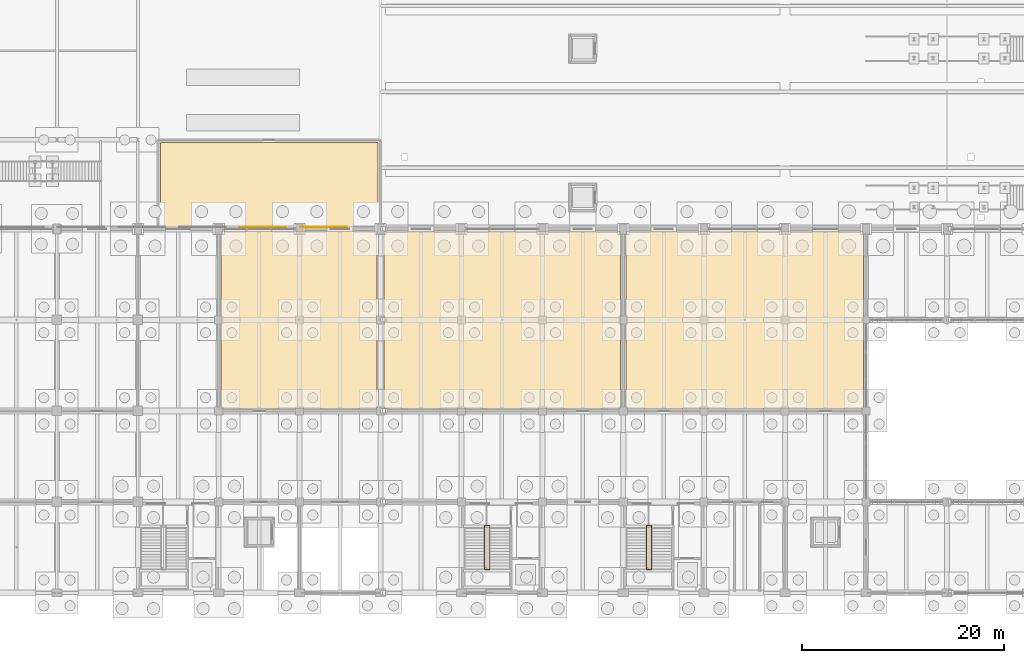
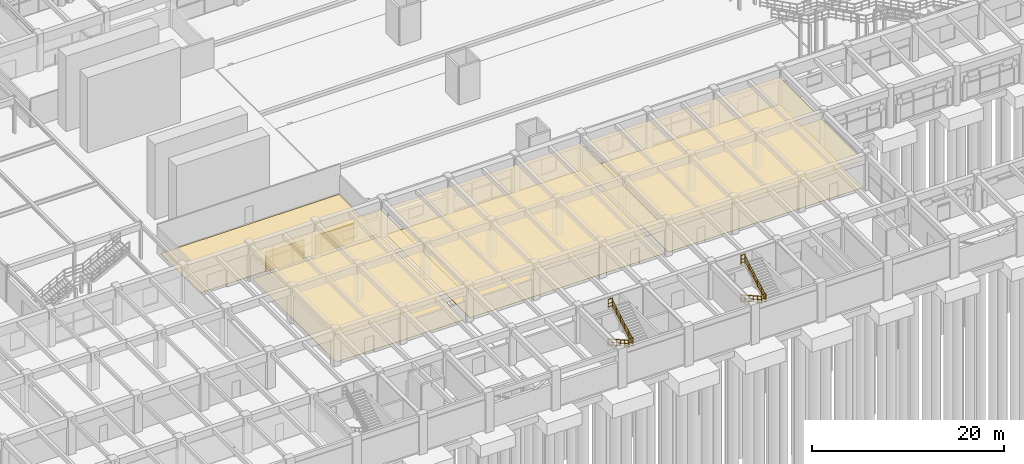
# One storey, part 136 of 147: 9 coverings, 8 railings.
"""IFC4 building model written with IfcOpenShell, lengths in metres."""

import ifcopenshell
import ifcopenshell.guid

model = None  # the IFC model being written
_history = None  # IfcOwnerHistory: only IFC2X3 demands one
_inside = {}  # id of a spatial element -> (the spatial element, [elements in it])
_under = {}  # id of a project, library or spatial element -> (it, [spatial elements below it])
_declared = {}  # id of a project -> (the project, [libraries it declares])
_typed = {}  # id of a type object -> (the type object, [elements of that type])
_made_of = {}  # id of a material, layer set ... -> (it, [elements and type objects made of it])


def new_model(schema):
    """Start an empty IFC model of exactly this schema.

    Asked for "IFC4X3", IfcOpenShell would pick the latest addendum, in which some entities
    have other attributes; the version numbers below select the first issue.
    IFC2X3 requires an IfcOwnerHistory on every rooted entity: one is made here for all.
    """
    global model, _history
    if schema == "IFC4X3":
        model = ifcopenshell.file(schema_version=(4, 3, 0, 0))
    else:
        model = ifcopenshell.file(schema=schema)
    _inside.clear()
    _under.clear()
    _declared.clear()
    _typed.clear()
    _made_of.clear()
    _history = None
    if model.schema == "IFC2X3":
        org = make("IfcOrganization", Name="unknown")
        user = make(
            "IfcPersonAndOrganization",
            ThePerson=make("IfcPerson", FamilyName="unknown"),
            TheOrganization=org,
        )
        app = make(
            "IfcApplication",
            ApplicationDeveloper=org,
            Version="unknown",
            ApplicationFullName="unknown",
            ApplicationIdentifier="unknown",
        )
        _history = make(
            "IfcOwnerHistory",
            OwningUser=user,
            OwningApplication=app,
            ChangeAction="ADDED",
            CreationDate=0,
        )
    return model


def make(cls, **values):
    """One entity of the class cls with the attributes given. An attribute that is None is left unset."""
    return model.create_entity(
        cls, **{name: value for name, value in values.items() if value is not None}
    )


def rooted(cls, **values):
    """An entity with a GlobalId (a new one), such as an element, a storey or a relation."""
    return make(cls, GlobalId=ifcopenshell.guid.new(), OwnerHistory=_history, **values)


def si_unit(unit_type, name, prefix=None):
    """IfcSIUnit, for example si_unit("LENGTHUNIT", "METRE", prefix="MILLI")."""
    return make("IfcSIUnit", UnitType=unit_type, Prefix=prefix, Name=name)


def assignment(units):
    """IfcUnitAssignment: the units of a project."""
    return None if units is None else make("IfcUnitAssignment", Units=units)


def point(xyz):
    """IfcCartesianPoint."""
    return None if xyz is None else make("IfcCartesianPoint", Coordinates=xyz)


def direction(xyz):
    """IfcDirection."""
    return None if xyz is None else make("IfcDirection", DirectionRatios=xyz)


def frame(location, z_axis=None, x_axis=None):
    """IfcAxis2Placement3D, a coordinate frame: its origin and axes. An axis left out is left unset."""
    return make(
        "IfcAxis2Placement3D",
        Location=point(location),
        Axis=direction(z_axis),
        RefDirection=direction(x_axis),
    )


def frame_2d(location, x_axis=None):
    """IfcAxis2Placement2D, a coordinate frame in the plane: its origin and x axis."""
    return make(
        "IfcAxis2Placement2D", Location=point(location), RefDirection=direction(x_axis)
    )


def origin():
    """The frame at (0, 0, 0) with its axes left unset."""
    return frame((0.0, 0.0, 0.0))


def origin_2d():
    """The frame at (0, 0) in the plane with its x axis left unset."""
    return frame_2d((0.0, 0.0))


def place(relative_to, where):
    """IfcLocalPlacement: puts the frame where relative to a parent placement (None: the world)."""
    return make(
        "IfcLocalPlacement", PlacementRelTo=relative_to, RelativePlacement=where
    )


def context(
    kind, dimensions, precision=None, world=None, true_north=None, identifier=None
):
    """IfcGeometricRepresentationContext, for example the 3D "Model" context."""
    return make(
        "IfcGeometricRepresentationContext",
        ContextIdentifier=identifier,
        ContextType=kind,
        CoordinateSpaceDimension=dimensions,
        Precision=precision,
        WorldCoordinateSystem=world,
        TrueNorth=true_north,
    )


def subcontext(parent, identifier, kind, view, scale=None):
    """IfcGeometricRepresentationSubContext, for example "Body" below "Model"."""
    return make(
        "IfcGeometricRepresentationSubContext",
        ContextIdentifier=identifier,
        ContextType=kind,
        ParentContext=parent,
        TargetScale=scale,
        TargetView=view,
    )


def project(units=None, contexts=None):
    """IfcProject with its units and contexts."""
    return rooted(
        "IfcProject",
        Name="project",
        RepresentationContexts=contexts,
        UnitsInContext=assignment(units),
    )


def spatial(cls, under=None, at=None, **own):
    """A site, building, storey or space (cls), placed at a placement, below another one or the project."""
    s = rooted(cls, ObjectPlacement=at, **own)
    if under is not None:
        _under.setdefault(under.id(), (under, []))[1].append(s)
    return s


def polyline(points):
    """IfcPolyline through the points."""
    return make("IfcPolyline", Points=[point(p) for p in points])


def profile(cls, at=None, kind="AREA", **sizes):
    """A parametric profile (cls). Its sizes go by their IFC names, for example OverallWidth=200.0."""
    return make(cls, ProfileType=kind, Position=at, **sizes)


def rectangle(**sizes):
    """IfcRectangleProfileDef."""
    return profile("IfcRectangleProfileDef", **sizes)


def circle(**sizes):
    """IfcCircleProfileDef."""
    return profile("IfcCircleProfileDef", **sizes)


def outline(outer, holes=None, kind="AREA"):
    """IfcArbitraryClosedProfileDef: a profile drawn as a closed curve; with holes, ...WithVoids."""
    if holes is None:
        return make("IfcArbitraryClosedProfileDef", ProfileType=kind, OuterCurve=outer)
    return make(
        "IfcArbitraryProfileDefWithVoids",
        ProfileType=kind,
        OuterCurve=outer,
        InnerCurves=holes,
    )


def extrude(swept, where, along, depth):
    """IfcExtrudedAreaSolid: the profile swept, set in the frame where, extruded along a direction by depth."""
    return make(
        "IfcExtrudedAreaSolid",
        SweptArea=swept,
        Position=where,
        ExtrudedDirection=direction(along),
        Depth=depth,
    )


def shape(context_of_items, identifier, shape_type, items):
    """IfcShapeRepresentation: the items that make up one representation, for example the "Body"."""
    return make(
        "IfcShapeRepresentation",
        ContextOfItems=context_of_items,
        RepresentationIdentifier=identifier,
        RepresentationType=shape_type,
        Items=items,
    )


def material(Name=None, Category=None):
    """IfcMaterial."""
    return make("IfcMaterial", Name=Name, Category=Category)


def layer(
    of_material, thickness, ventilated=None, Name=None, Category=None, Priority=None
):
    """IfcMaterialLayer: one layer of a wall or slab, of a material (None: an air gap)."""
    return make(
        "IfcMaterialLayer",
        Material=of_material,
        LayerThickness=thickness,
        IsVentilated=ventilated,
        Name=Name,
        Category=Category,
        Priority=Priority,
    )


def layer_set(layers, Name=None):
    """IfcMaterialLayerSet."""
    return make("IfcMaterialLayerSet", MaterialLayers=layers, LayerSetName=Name)


def made_of(thing, what):
    """Note that an element or type object is made of a material, layer set ...; save() writes the relation."""
    if what is not None:
        _made_of.setdefault(what.id(), (what, []))[1].append(thing)
    return thing


def type_object(cls, material=None, **own):
    """A type object (cls), such as IfcWallType, which elements share."""
    return made_of(rooted(cls, **own), material)


def element(
    cls,
    number,
    at=None,
    inside=None,
    cuts=None,
    type_object=None,
    material=None,
    context=None,
    identifier="Body",
    shape_type=None,
    held_by="IfcProductDefinitionShape",
    body=None,
    shapes=None,
    **own,
):
    """One element of the class cls, such as IfcWall. Its Tag is "e" and its number.

    at: its placement. inside: the storey or other place that contains it. cuts: it is an
    opening in that element (IfcRelVoidsElement). A single representation is given by context,
    identifier, shape_type and body (its items); several are given by shapes. held_by: the class
    of the entity that holds the representations. save() writes the other relations.
    """
    e = rooted(cls, Tag="e%d" % number, ObjectPlacement=at, **own)
    if body is not None:
        shapes = [shape(context, identifier, shape_type, body)]
    if shapes is not None:
        e.Representation = make(held_by, Representations=shapes)
    if inside is not None:
        _inside.setdefault(inside.id(), (inside, []))[1].append(e)
    if cuts is not None:
        rooted(
            "IfcRelVoidsElement", RelatingBuildingElement=cuts, RelatedOpeningElement=e
        )
    if type_object is not None:
        _typed.setdefault(type_object.id(), (type_object, []))[1].append(e)
    return made_of(e, material)


def aggregate(whole, parts):
    """IfcRelAggregates: a whole, such as a stair, and the parts it consists of."""
    return rooted("IfcRelAggregates", RelatingObject=whole, RelatedObjects=parts)


def save(model, path):
    """Write the relations noted so far, then the file.

    IfcRelAggregates (storeys below a building ...), IfcRelContainedInSpatialStructure (elements
    in a storey), IfcRelDefinesByType, IfcRelAssociatesMaterial and IfcRelDeclares: one each for
    every whole, place, type object, material and project.
    """
    for whole, parts in _under.values():
        aggregate(whole, parts)
    for where, things in _inside.values():
        rooted(
            "IfcRelContainedInSpatialStructure",
            RelatedElements=things,
            RelatingStructure=where,
        )
    for kind, things in _typed.values():
        rooted("IfcRelDefinesByType", RelatedObjects=things, RelatingType=kind)
    for what, things in _made_of.values():
        rooted("IfcRelAssociatesMaterial", RelatedObjects=things, RelatingMaterial=what)
    for by, libraries in _declared.values():
        rooted("IfcRelDeclares", RelatingContext=by, RelatedDefinitions=libraries)
    model.write(path)


model = new_model("IFC4")

# Units and contexts
model_context = context("Model", 3, precision=1e-05, world=origin(), true_north=direction((0.0, 1.0)))
body_context = subcontext(model_context, "Body", "Model", "MODEL_VIEW")
ifc_project = project(units=[si_unit("LENGTHUNIT", "METRE"), si_unit("AREAUNIT", "SQUARE_METRE"), si_unit("VOLUMEUNIT", "CUBIC_METRE"), si_unit("PLANEANGLEUNIT", "RADIAN"), si_unit("MASSUNIT", "GRAM", prefix="KILO")], contexts=[model_context])

# Site, building, storey
site_placement = place(None, origin())
site = spatial("IfcSite", under=ifc_project, at=site_placement, CompositionType="ELEMENT")
building_placement = place(site_placement, origin())
building = spatial("IfcBuilding", under=site, at=building_placement, Name="Varnabhumi Central Station", CompositionType="ELEMENT")
storey_placement = place(building_placement, origin())
storey = spatial("IfcBuildingStorey", under=building, at=storey_placement, Name="L00", CompositionType="ELEMENT", Elevation=0.0)

# Coverings
ifc_material_1 = material(Name="Mineral-fibre acoustic tile")
ifc_layer_1 = layer(ifc_material_1, 0.02490234375, Name="Mineral-fibre acoustic tile")
ifc_layer_set_1 = layer_set([ifc_layer_1], Name="Mineral-fibre acoustic tile")
covering_type_1 = type_object("IfcCoveringType", Name="COV-CEIL-ACOUSTIC", PredefinedType="CEILING", material=ifc_layer_set_1)
covering_1_placement = place(storey_placement, frame((0.0, 0.0, 3.469970703125)))
element("IfcCovering", 1, at=covering_1_placement, inside=storey, type_object=covering_type_1, Name="Inbound and Outbound Parcel Store Acoustic Ceiling", PredefinedType="CEILING", context=body_context, shape_type="SweptSolid", body=[
    extrude(outline(polyline([(48.25, 18.25), (63.64990234375, 18.25), (63.64990234375, 35.75), (48.25, 35.75), (48.25, 18.25)])), origin(), (0.0, 0.0, 1.0), 0.025146484375),
])
covering_2_placement = place(storey_placement, frame((0.0, 0.0, 3.469970703125)))
element("IfcCovering", 2, at=covering_2_placement, inside=storey, type_object=covering_type_1, Name="Inbound and Outbound Parcel Store Acoustic Ceiling", PredefinedType="CEILING", context=body_context, shape_type="SweptSolid", body=[
    extrude(outline(polyline([(64.35009765625, 18.25), (87.75, 18.25), (87.75, 35.75), (64.35009765625, 35.75), (64.35009765625, 18.25)])), origin(), (0.0, 0.0, 1.0), 0.025146484375),
])
covering_3_placement = place(storey_placement, frame((0.0, 0.0, 3.469970703125)))
element("IfcCovering", 3, at=covering_3_placement, inside=storey, type_object=covering_type_1, Name="Oversize Baggage Screening Room Acoustic Ceiling", PredefinedType="CEILING", context=body_context, shape_type="SweptSolid", body=[
    extrude(outline(polyline([(88.25, 18.25), (111.75, 18.25), (111.75, 35.75), (88.25, 35.75), (88.25, 18.25)])), origin(), (0.0, 0.0, 1.0), 0.025146484375),
])
ifc_material_2 = material(Name="Vitrified granite stone flooring", Category="masonry")
ifc_layer_2 = layer(ifc_material_2, 0.030029296875, Name="Vitrified granite stone flooring", Category="masonry")
ifc_layer_set_2 = layer_set([ifc_layer_2], Name="Vitrified granite stone flooring")
covering_type_2 = type_object("IfcCoveringType", Name="COV-FLOR-GRANITE", PredefinedType="FLOORING", material=ifc_layer_set_2)
covering_4_placement = place(storey_placement, origin())
element("IfcCovering", 4, at=covering_4_placement, inside=storey, type_object=covering_type_2, Name="Reserved and Unreserved Booking Counters Granite Flooring", PredefinedType="FLOORING", context=body_context, shape_type="SweptSolid", body=[
    extrude(outline(polyline([(42.25, 36.25), (63.75, 36.25), (63.75, 44.550048828125), (42.25, 44.550048828125), (42.25, 36.25)])), origin(), (0.0, 0.0, 1.0), 0.030029296875),
])
covering_5_placement = place(storey_placement, origin())
element("IfcCovering", 5, at=covering_5_placement, inside=storey, type_object=covering_type_2, Name="Inbound and Outbound Parcel Store Granite Flooring", PredefinedType="FLOORING", context=body_context, shape_type="SweptSolid", body=[
    extrude(outline(polyline([(48.25, 18.25), (63.64990234375, 18.25), (63.64990234375, 35.75), (48.25, 35.75), (48.25, 18.25)])), origin(), (0.0, 0.0, 1.0), 0.030029296875),
])
covering_6_placement = place(storey_placement, origin())
element("IfcCovering", 6, at=covering_6_placement, inside=storey, type_object=covering_type_2, Name="Inbound and Outbound Parcel Store Granite Flooring", PredefinedType="FLOORING", context=body_context, shape_type="SweptSolid", body=[
    extrude(outline(polyline([(64.35009765625, 18.25), (87.75, 18.25), (87.75, 35.75), (64.35009765625, 35.75), (64.35009765625, 18.25)])), origin(), (0.0, 0.0, 1.0), 0.030029296875),
])
covering_7_placement = place(storey_placement, origin())
element("IfcCovering", 7, at=covering_7_placement, inside=storey, type_object=covering_type_2, Name="Oversize Baggage Screening Room Granite Flooring", PredefinedType="FLOORING", context=body_context, shape_type="SweptSolid", body=[
    extrude(outline(polyline([(88.25, 18.25), (111.75, 18.25), (111.75, 35.75), (88.25, 35.75), (88.25, 18.25)])), origin(), (0.0, 0.0, 1.0), 0.030029296875),
])
ifc_material_3 = material(Name="Terracotta clay Mission barrel tile", Category="masonry")
ifc_layer_3 = layer(ifc_material_3, 0.02001953125, Name="Terracotta clay Mission barrel tile", Category="masonry")
ifc_layer_set_3 = layer_set([ifc_layer_3], Name="Terracotta clay Mission barrel tile")
covering_type_3 = type_object("IfcCoveringType", Name="COV-WALL-FAIENCE", PredefinedType="CLADDING", material=ifc_layer_set_3)
for number, where, z_axis, x_axis, name in (
    (8, (52.39990234375, 36.199951171875, 0.0), (0.0, 0.0, 1.0), (1.0, 0.0, 0.0), "Ticket Hall Glazed Faience Wainscot 5"),
    (9, (58.39990234375, 36.199951171875, 0.0), (0.0, 0.0, 1.0), (1.0, 0.0, 0.0), "Ticket Hall Glazed Faience Wainscot 6"),
):
    element("IfcCovering", number, at=place(storey_placement, frame(where, z_axis=z_axis, x_axis=x_axis)), inside=storey, type_object=covering_type_3, Name=name, PredefinedType="CLADDING", context=body_context, shape_type="SweptSolid", body=[
        extrude(rectangle(XDim=4.60009765625, YDim=0.0400390625, at=origin_2d()), origin(), (0.0, 0.0, 1.0), 2.5),
    ])

# Railings
ifc_material_4 = material(Name="Stainless steel Grade 316", Category="steel")
railing_type_1 = type_object("IfcRailingType", Name="RAIL-STAIR-GRD-1150", PredefinedType="GUARDRAIL", material=ifc_material_4)
for number, where, name in (
    (10, (90.300048828125, 2.324951171875, 2.39990234375), "ST-S2 L00 Half-Landing Well Guard"),
    (11, (90.300048828125, 6.639892578125, 4.800048828125), "ST-S2 L00 Arrival Slot Guard"),
    (12, (74.300048828125, 2.324951171875, 2.39990234375), "ST-S4 L00 Half-Landing Well Guard"),
    (13, (74.300048828125, 6.639892578125, 4.800048828125), "ST-S4 L00 Arrival Slot Guard"),
):
    element("IfcRailing", number, at=place(storey_placement, frame(where)), inside=storey, type_object=railing_type_1, Name=name, PredefinedType="GUARDRAIL", context=body_context, shape_type="SweptSolid", body=[
        extrude(circle(Radius=0.02392578125, at=origin_2d()), frame((0.0, 0.0, 1.1259765625), z_axis=(1.0, 0.0, 0.0), x_axis=(0.0, 1.0, 0.0)), (0.0, 0.0, 1.0), 0.5),
        extrude(circle(Radius=0.01416015625, at=origin_2d()), frame((0.0, 0.0, 0.597900390625), z_axis=(1.0, 0.0, 0.0), x_axis=(0.0, 1.0, 0.0)), (0.0, 0.0, 1.0), 0.5),
        extrude(circle(Radius=0.01416015625, at=origin_2d()), frame((0.0, 0.0, 0.18408203125), z_axis=(1.0, 0.0, 0.0), x_axis=(0.0, 1.0, 0.0)), (0.0, 0.0, 1.0), 0.5),
        extrude(circle(Radius=0.02099609375, at=origin_2d()), origin(), (0.0, 0.0, 1.0), 1.101806640625),
        extrude(circle(Radius=0.02099609375, at=origin_2d()), frame((0.5, 0.0, 0.0)), (0.0, 0.0, 1.0), 1.101806640625),
    ])
railing_type_2 = type_object("IfcRailingType", Name="RAIL-STAIR-HR-920", PredefinedType="HANDRAIL", material=ifc_material_4)
railing_1_placement = place(storey_placement, frame((90.300048828125, 6.659912109375, 0.0)))
element("IfcRailing", 14, at=railing_1_placement, inside=storey, type_object=railing_type_2, Name="ST-S2 L00 Flight 1 Handrail", PredefinedType="HANDRAIL", context=body_context, shape_type="SweptSolid", body=[
    extrude(circle(Radius=0.02392578125, at=origin_2d()), frame((0.0, 0.0, 0.89599609375), z_axis=(0.0, -0.871987514779, 0.489528113665), x_axis=(1.0, 0.0, 0.0)), (0.0, 0.0, 1.0), 4.902587890625),
    extrude(circle(Radius=0.01416015625, at=origin_2d()), frame((0.0, 0.0, 0.478271484375), z_axis=(0.0, -0.871987514779, 0.489528113665), x_axis=(1.0, 0.0, 0.0)), (0.0, 0.0, 1.0), 4.902587890625),
    extrude(circle(Radius=0.01416015625, at=origin_2d()), frame((0.0, 0.0, 0.147216796875), z_axis=(0.0, -0.871987514779, 0.489528113665), x_axis=(1.0, 0.0, 0.0)), (0.0, 0.0, 1.0), 4.902587890625),
    extrude(circle(Radius=0.02099609375, at=origin_2d()), origin(), (0.0, 0.0, 1.0), 0.871826171875),
    extrude(circle(Radius=0.02099609375, at=origin_2d()), frame((0.0, -0.85498046875, 0.47998046875)), (0.0, 0.0, 1.0), 0.871826171875),
    extrude(circle(Radius=0.02099609375, at=origin_2d()), frame((0.0, -1.7099609375, 0.9599609375)), (0.0, 0.0, 1.0), 0.871826171875),
    extrude(circle(Radius=0.02099609375, at=origin_2d()), frame((0.0, -2.56494140625, 1.43994140625)), (0.0, 0.0, 1.0), 0.871826171875),
    extrude(circle(Radius=0.02099609375, at=origin_2d()), frame((0.0, -3.419921875, 1.919921875)), (0.0, 0.0, 1.0), 0.871826171875),
    extrude(circle(Radius=0.02099609375, at=origin_2d()), frame((0.0, -4.27490234375, 2.39990234375)), (0.0, 0.0, 1.0), 0.871826171875),
])
railing_2_placement = place(storey_placement, frame((90.800048828125, 2.385009765625, 2.39990234375)))
element("IfcRailing", 15, at=railing_2_placement, inside=storey, type_object=railing_type_2, Name="ST-S2 L00 Flight 2 Handrail", PredefinedType="HANDRAIL", context=body_context, shape_type="SweptSolid", body=[
    extrude(circle(Radius=0.02392578125, at=origin_2d()), frame((0.0, 0.0, 0.89599609375), z_axis=(0.0, 0.871966256983, 0.489565977864), x_axis=(-1.0, 0.0, 0.0)), (0.0, 0.0, 1.0), 4.902587890625),
    extrude(circle(Radius=0.01416015625, at=origin_2d()), frame((0.0, 0.0, 0.478271484375), z_axis=(0.0, 0.871966256983, 0.489565977864), x_axis=(-1.0, 0.0, 0.0)), (0.0, 0.0, 1.0), 4.902587890625),
    extrude(circle(Radius=0.01416015625, at=origin_2d()), frame((0.0, 0.0, 0.147216796875), z_axis=(0.0, 0.871966256983, 0.489565977864), x_axis=(-1.0, 0.0, 0.0)), (0.0, 0.0, 1.0), 4.902587890625),
    extrude(circle(Radius=0.02099609375, at=origin_2d()), origin(), (0.0, 0.0, 1.0), 0.871826171875),
    extrude(circle(Radius=0.02099609375, at=origin_2d()), frame((0.0, 0.85498046875, 0.47998046875)), (0.0, 0.0, 1.0), 0.871826171875),
    extrude(circle(Radius=0.02099609375, at=origin_2d()), frame((0.0, 1.7099609375, 0.9599609375)), (0.0, 0.0, 1.0), 0.871826171875),
    extrude(circle(Radius=0.02099609375, at=origin_2d()), frame((0.0, 2.56494140625, 1.440185546875)), (0.0, 0.0, 1.0), 0.871826171875),
    extrude(circle(Radius=0.02099609375, at=origin_2d()), frame((0.0, 3.419921875, 1.920166015625)), (0.0, 0.0, 1.0), 0.871826171875),
    extrude(circle(Radius=0.02099609375, at=origin_2d()), frame((0.0, 4.27490234375, 2.400146484375)), (0.0, 0.0, 1.0), 0.871826171875),
])
railing_3_placement = place(storey_placement, frame((74.300048828125, 6.659912109375, 0.0)))
element("IfcRailing", 16, at=railing_3_placement, inside=storey, type_object=railing_type_2, Name="ST-S4 L00 Flight 1 Handrail", PredefinedType="HANDRAIL", context=body_context, shape_type="SweptSolid", body=[
    extrude(circle(Radius=0.02392578125, at=origin_2d()), frame((0.0, 0.0, 0.89599609375), z_axis=(0.0, -0.871987514779, 0.489528113665), x_axis=(1.0, 0.0, 0.0)), (0.0, 0.0, 1.0), 4.902587890625),
    extrude(circle(Radius=0.01416015625, at=origin_2d()), frame((0.0, 0.0, 0.478271484375), z_axis=(0.0, -0.871987514779, 0.489528113665), x_axis=(1.0, 0.0, 0.0)), (0.0, 0.0, 1.0), 4.902587890625),
    extrude(circle(Radius=0.01416015625, at=origin_2d()), frame((0.0, 0.0, 0.147216796875), z_axis=(0.0, -0.871987514779, 0.489528113665), x_axis=(1.0, 0.0, 0.0)), (0.0, 0.0, 1.0), 4.902587890625),
    extrude(circle(Radius=0.02099609375, at=origin_2d()), origin(), (0.0, 0.0, 1.0), 0.871826171875),
    extrude(circle(Radius=0.02099609375, at=origin_2d()), frame((0.0, -0.85498046875, 0.47998046875)), (0.0, 0.0, 1.0), 0.871826171875),
    extrude(circle(Radius=0.02099609375, at=origin_2d()), frame((0.0, -1.7099609375, 0.9599609375)), (0.0, 0.0, 1.0), 0.871826171875),
    extrude(circle(Radius=0.02099609375, at=origin_2d()), frame((0.0, -2.56494140625, 1.43994140625)), (0.0, 0.0, 1.0), 0.871826171875),
    extrude(circle(Radius=0.02099609375, at=origin_2d()), frame((0.0, -3.419921875, 1.919921875)), (0.0, 0.0, 1.0), 0.871826171875),
    extrude(circle(Radius=0.02099609375, at=origin_2d()), frame((0.0, -4.27490234375, 2.39990234375)), (0.0, 0.0, 1.0), 0.871826171875),
])
railing_4_placement = place(storey_placement, frame((74.800048828125, 2.385009765625, 2.39990234375)))
element("IfcRailing", 17, at=railing_4_placement, inside=storey, type_object=railing_type_2, Name="ST-S4 L00 Flight 2 Handrail", PredefinedType="HANDRAIL", context=body_context, shape_type="SweptSolid", body=[
    extrude(circle(Radius=0.02392578125, at=origin_2d()), frame((0.0, 0.0, 0.89599609375), z_axis=(0.0, 0.871966256983, 0.489565977864), x_axis=(-1.0, 0.0, 0.0)), (0.0, 0.0, 1.0), 4.902587890625),
    extrude(circle(Radius=0.01416015625, at=origin_2d()), frame((0.0, 0.0, 0.478271484375), z_axis=(0.0, 0.871966256983, 0.489565977864), x_axis=(-1.0, 0.0, 0.0)), (0.0, 0.0, 1.0), 4.902587890625),
    extrude(circle(Radius=0.01416015625, at=origin_2d()), frame((0.0, 0.0, 0.147216796875), z_axis=(0.0, 0.871966256983, 0.489565977864), x_axis=(-1.0, 0.0, 0.0)), (0.0, 0.0, 1.0), 4.902587890625),
    extrude(circle(Radius=0.02099609375, at=origin_2d()), origin(), (0.0, 0.0, 1.0), 0.871826171875),
    extrude(circle(Radius=0.02099609375, at=origin_2d()), frame((0.0, 0.85498046875, 0.47998046875)), (0.0, 0.0, 1.0), 0.871826171875),
    extrude(circle(Radius=0.02099609375, at=origin_2d()), frame((0.0, 1.7099609375, 0.9599609375)), (0.0, 0.0, 1.0), 0.871826171875),
    extrude(circle(Radius=0.02099609375, at=origin_2d()), frame((0.0, 2.56494140625, 1.440185546875)), (0.0, 0.0, 1.0), 0.871826171875),
    extrude(circle(Radius=0.02099609375, at=origin_2d()), frame((0.0, 3.419921875, 1.920166015625)), (0.0, 0.0, 1.0), 0.871826171875),
    extrude(circle(Radius=0.02099609375, at=origin_2d()), frame((0.0, 4.27490234375, 2.400146484375)), (0.0, 0.0, 1.0), 0.871826171875),
])

save(model, "model.ifc")
